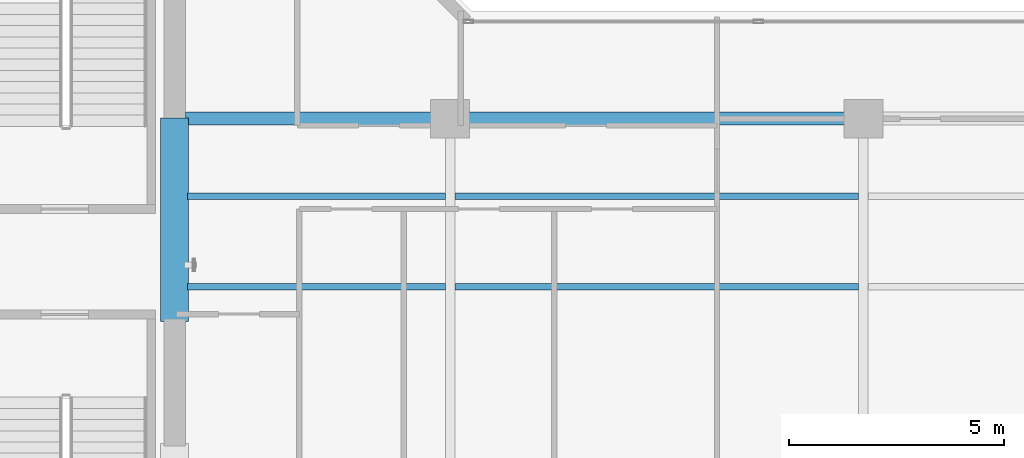
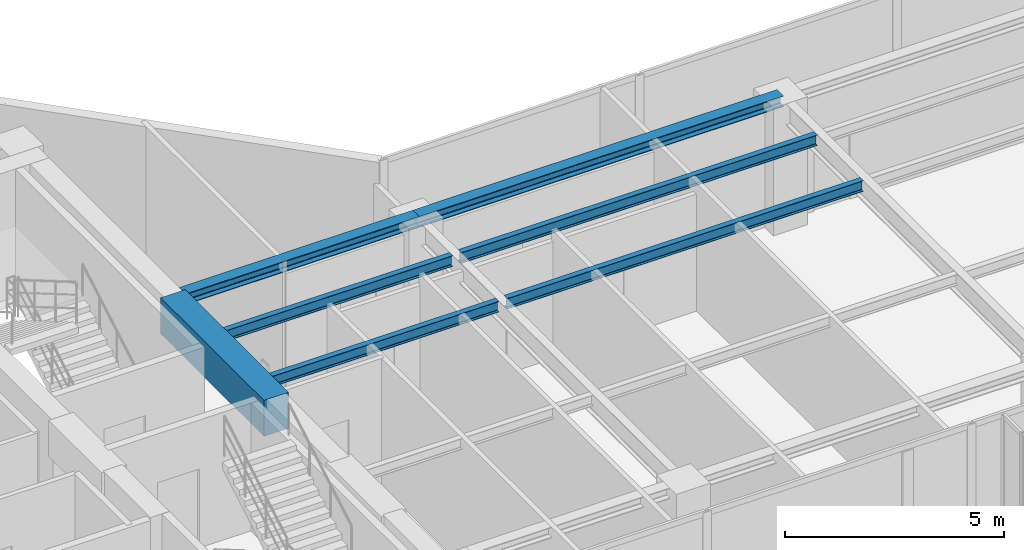
# One storey, part 6 of 24: 7 beams.
"""IFC4 building model written with IfcOpenShell, lengths in metres."""

from ifc_helpers import new_model, si_unit, direction, frame, origin, origin_2d, place, context, subcontext, project, spatial, rectangle, i_section, extrude, material, material_profile, profile_set, type_object, element, save


model = new_model("IFC4")

# Units and contexts
model_context = context("Model", 3, precision=1e-05, world=origin(), true_north=direction((0.0, 1.0)))
body_context = subcontext(model_context, "Body", "Model", "MODEL_VIEW")
ifc_project = project(units=[si_unit("LENGTHUNIT", "METRE"), si_unit("AREAUNIT", "SQUARE_METRE"), si_unit("VOLUMEUNIT", "CUBIC_METRE"), si_unit("PLANEANGLEUNIT", "RADIAN"), si_unit("MASSUNIT", "GRAM", prefix="KILO")], contexts=[model_context])

# Site, building, storey
site_placement = place(None, origin())
site = spatial("IfcSite", under=ifc_project, at=site_placement, CompositionType="ELEMENT")
building_placement = place(site_placement, origin())
building = spatial("IfcBuilding", under=site, at=building_placement, Name="Kolvaren Waterfront Exchange", CompositionType="ELEMENT")
storey_placement = place(building_placement, frame((0.0, 0.0, 300.800048828125)))
storey = spatial("IfcBuildingStorey", under=building, at=storey_placement, Name="L77", CompositionType="ELEMENT", Elevation=300.800048828125)

# Beams
ifc_material_1 = material(Name="Steel S355", Category="steel")
ifc_material_profile_1 = material_profile(ifc_material_1, i_section(OverallWidth=0.300048828125, OverallDepth=0.300048828125, WebThickness=0.010986328125, FlangeThickness=0.01904296875, FilletRadius=0.027099609375, at=origin_2d()), Name="HEB300")
ifc_profile_set_1 = profile_set([ifc_material_profile_1], Name="Steel S355")
beam_type_1 = type_object("IfcBeamType", Name="STR-BM-HEB300", PredefinedType="SPANDREL", material=ifc_profile_set_1)
beam_1_placement = place(storey_placement, frame((21.050048828125, 17.39990234375, 3.409912109375), z_axis=(1.0, 0.0, 0.0), x_axis=(0.0, 1.0, 0.0)))
element("IfcBeam", 1, at=beam_1_placement, inside=storey, type_object=beam_type_1, Name="L77 east-arm spandrel N1", PredefinedType="SPANDREL", context=body_context, shape_type="SweptSolid", body=[
    extrude(i_section(OverallWidth=0.300048828125, OverallDepth=0.300048828125, WebThickness=0.010986328125, FlangeThickness=0.01904296875, FilletRadius=0.027099609375, at=origin_2d()), origin(), (0.0, 0.0, 1.0), 6.14990234375),
])
beam_2_placement = place(storey_placement, frame((27.199951171875, 17.39990234375, 3.409912109375), z_axis=(1.0, 0.0, 0.0), x_axis=(0.0, 1.0, 0.0)))
element("IfcBeam", 2, at=beam_2_placement, inside=storey, type_object=beam_type_1, Name="L77 east-arm spandrel N2", PredefinedType="SPANDREL", context=body_context, shape_type="SweptSolid", body=[
    extrude(i_section(OverallWidth=0.300048828125, OverallDepth=0.300048828125, WebThickness=0.010986328125, FlangeThickness=0.01904296875, FilletRadius=0.027099609375, at=origin_2d()), origin(), (0.0, 0.0, 1.0), 9.60009765625),
])
ifc_material_profile_2 = material_profile(ifc_material_1, i_section(OverallWidth=0.14990234375, OverallDepth=0.300048828125, WebThickness=0.007080078125, FlangeThickness=0.0107421875, FilletRadius=0.014892578125, at=origin_2d()), Name="IPE300")
ifc_profile_set_2 = profile_set([ifc_material_profile_2], Name="Steel S355")
beam_type_2 = type_object("IfcBeamType", Name="STR-BM-IPE300", PredefinedType="JOIST", material=ifc_profile_set_2)
for number, where, z_axis, x_axis, name in (
    (3, (21.10009765625, 13.5, 3.409912109375), (1.0, 0.0, 0.0), (0.0, 1.0, 0.0), "L77 east-arm composite joist 1A"),
    (4, (21.10009765625, 15.60009765625, 3.409912109375), (1.0, 0.0, 0.0), (0.0, 1.0, 0.0), "L77 east-arm composite joist 1C"),
):
    element("IfcBeam", number, at=place(storey_placement, frame(where, z_axis=z_axis, x_axis=x_axis)), inside=storey, type_object=beam_type_2, Name=name, PredefinedType="JOIST", context=body_context, shape_type="SweptSolid", body=[
        extrude(i_section(OverallWidth=0.14990234375, OverallDepth=0.300048828125, WebThickness=0.007080078125, FlangeThickness=0.0107421875, FilletRadius=0.014892578125, at=origin_2d()), origin(), (0.0, 0.0, 1.0), 5.98779296875),
    ])
for number, where, z_axis, x_axis, name in (
    (5, (27.31201171875, 13.5, 3.409912109375), (1.0, 0.0, 0.0), (0.0, 1.0, 0.0), "L77 east-arm composite joist 2A"),
    (6, (27.31201171875, 15.60009765625, 3.409912109375), (1.0, 0.0, 0.0), (0.0, 1.0, 0.0), "L77 east-arm composite joist 2C"),
):
    element("IfcBeam", number, at=place(storey_placement, frame(where, z_axis=z_axis, x_axis=x_axis)), inside=storey, type_object=beam_type_2, Name=name, PredefinedType="JOIST", context=body_context, shape_type="SweptSolid", body=[
        extrude(i_section(OverallWidth=0.14990234375, OverallDepth=0.300048828125, WebThickness=0.007080078125, FlangeThickness=0.0107421875, FilletRadius=0.014892578125, at=origin_2d()), origin(), (0.0, 0.0, 1.0), 9.3759765625),
    ])
ifc_material_2 = material(Name="Concrete C60/75", Category="concrete")
ifc_material_profile_3 = material_profile(ifc_material_2, rectangle(XDim=0.64990234375, YDim=1.0, at=origin_2d()), Name="RC-CB-1000x650")
ifc_profile_set_3 = profile_set([ifc_material_profile_3], Name="Concrete C60/75")
beam_type_3 = type_object("IfcBeamType", Name="STR-CB-1000", PredefinedType="SPANDREL", material=ifc_profile_set_3)
beam_3_placement = place(storey_placement, frame((20.800048828125, 12.68994140625, 3.06005859375), z_axis=(0.0, 1.0, 0.0), x_axis=(-1.0, 0.0, 0.0)))
element("IfcBeam", 7, at=beam_3_placement, inside=storey, type_object=beam_type_3, Name="L77 core coupling beam 2", PredefinedType="SPANDREL", context=body_context, shape_type="SweptSolid", body=[
    extrude(rectangle(XDim=0.64990234375, YDim=1.0, at=origin_2d()), origin(), (0.0, 0.0, 1.0), 4.719970703125),
])

save(model, "model.ifc")
